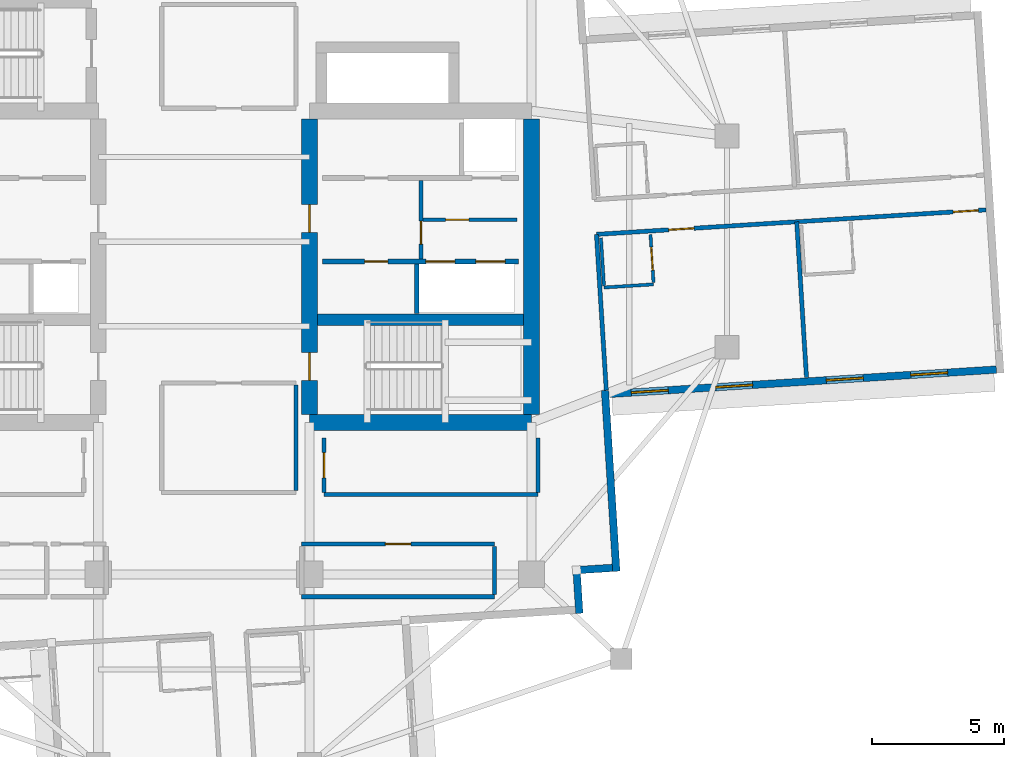
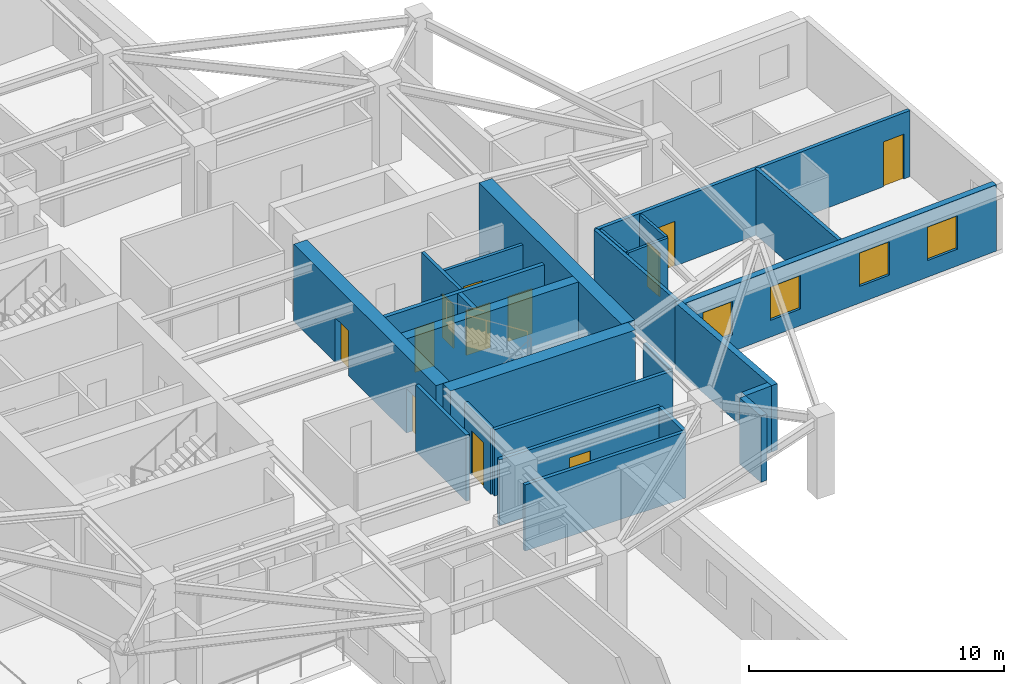
# One storey, part 5 of 12: 25 walls, 12 doors, 4 windows, 16 openings.
"""IFC4 building model written with IfcOpenShell, lengths in metres."""

from ifc_helpers import new_model, si_unit, direction, frame, frame_2d, origin, place, context, subcontext, project, spatial, rectangle, extrude, material, layer, layer_set, type_object, element, fill, save


model = new_model("IFC4")

# Units and contexts
model_context = context("Model", 3, precision=1e-05, world=origin(), true_north=direction((0.0, 1.0)))
body_context = subcontext(model_context, "Body", "Model", "MODEL_VIEW")
ifc_project = project(units=[si_unit("LENGTHUNIT", "METRE"), si_unit("AREAUNIT", "SQUARE_METRE"), si_unit("VOLUMEUNIT", "CUBIC_METRE"), si_unit("PLANEANGLEUNIT", "RADIAN"), si_unit("MASSUNIT", "GRAM", prefix="KILO")], contexts=[model_context])

# Site, building, storey
site_placement = place(None, origin())
site = spatial("IfcSite", under=ifc_project, at=site_placement, CompositionType="ELEMENT")
building_placement = place(site_placement, origin())
building = spatial("IfcBuilding", under=site, at=building_placement, Name="Qingluan Cross Belvedere", CompositionType="ELEMENT")
storey_placement = place(building_placement, frame((0.0, 0.0, 209.10009765625)))
storey = spatial("IfcBuildingStorey", under=building, at=storey_placement, Name="L52", CompositionType="ELEMENT", Elevation=209.10009765625)

# Walls
ifc_material_1 = material(Name="Concrete C50", Category="concrete")
ifc_layer_1 = layer(ifc_material_1, 0.449951171875, Name="CoreShearWall_450")
ifc_layer_set_1 = layer_set([ifc_layer_1], Name="Concrete C50")
wall_type_1 = type_object("IfcWallType", Name="CoreShearWall_450", PredefinedType="SHEAR", material=ifc_layer_set_1)
wall_1_placement = place(storey_placement, frame((4.304931640625, -2.9599609375, 0.0), z_axis=(0.0, 0.0, 1.0), x_axis=(1.0, 0.0, 0.0)))
element("IfcWall", 1, at=wall_1_placement, inside=storey, type_object=wall_type_1, Name="Split core E shear wall L52-M", PredefinedType="SHEAR", context=body_context, shape_type="SweptSolid", body=[
    extrude(rectangle(XDim=7.7900390625, YDim=0.449951171875, at=frame_2d((3.89501953125, 0.0))), origin(), (0.0, 0.0, 1.0), 3.699951171875),
])
ifc_material_2 = material(Name="Concrete C60", Category="concrete")
ifc_layer_2 = layer(ifc_material_2, 0.60009765625, Name="CoreShearWall_600")
ifc_layer_set_2 = layer_set([ifc_layer_2], Name="Concrete C60")
wall_type_2 = type_object("IfcWallType", Name="CoreShearWall_600", PredefinedType="SHEAR", material=ifc_layer_set_2)
wall_2_placement = place(storey_placement, frame((4.0, -6.85009765625, 0.0), z_axis=(0.0, 0.0, 1.0), x_axis=(1.0, 0.0, 0.0)))
element("IfcWall", 2, at=wall_2_placement, inside=storey, type_object=wall_type_2, Name="Split core E shear wall L52-S", PredefinedType="SHEAR", context=body_context, shape_type="SweptSolid", body=[
    extrude(rectangle(XDim=8.39990234375, YDim=0.60009765625, at=frame_2d((4.199951171875, 0.0))), origin(), (0.0, 0.0, 1.0), 3.699951171875),
])

# Wall, openings, doors
wall_3_placement = place(storey_placement, frame((4.0, -6.544921875, 0.0), z_axis=(0.0, 0.0, 1.0), x_axis=(0.0, 1.0, 0.0)))
wall_3 = element("IfcWall", 3, at=wall_3_placement, inside=storey, type_object=wall_type_2, Name="Split core E shear wall L52-W", PredefinedType="SHEAR", context=body_context, shape_type="SweptSolid", body=[
    extrude(rectangle(XDim=11.18994140625, YDim=0.60009765625, at=frame_2d((5.594970703125, 0.0))), origin(), (0.0, 0.0, 1.0), 3.699951171875),
])
opening_1_placement = place(wall_3_placement, frame((1.294921875, 0.0, 0.0)))
opening_1 = element("IfcOpeningElement", 4, at=opening_1_placement, cuts=wall_3, Name="Opening FD-B11", PredefinedType="OPENING", context=body_context, shape_type="SweptSolid", body=[
    extrude(rectangle(XDim=1.050048828125, YDim=2.14990234375, at=frame_2d((0.52490234375, 1.074951171875))), frame((0.0, 0.31005859375, 0.0), z_axis=(0.0, -1.0, 0.0), x_axis=(1.0, 0.0, 0.0)), (0.0, 0.0, 1.0), 0.6201171875),
])
opening_2_placement = place(wall_3_placement, frame((6.89501953125, 0.0, 0.0)))
opening_2 = element("IfcOpeningElement", 5, at=opening_2_placement, cuts=wall_3, Name="Opening FD-B11", PredefinedType="OPENING", context=body_context, shape_type="SweptSolid", body=[
    extrude(rectangle(XDim=1.050048828125, YDim=2.14990234375, at=frame_2d((0.52490234375, 1.074951171875))), frame((0.0, 0.31005859375, 0.0), z_axis=(0.0, -1.0, 0.0), x_axis=(1.0, 0.0, 0.0)), (0.0, 0.0, 1.0), 0.6201171875),
])
ifc_material_3 = material(Name="Steel Class B smoke-seal fire door", Category="steel")
door_type_1 = type_object("IfcDoorType", Name="StairLobbyFireDoor_FDB", OperationType="NOTDEFINED", PredefinedType="DOOR", material=ifc_material_3)
door_1_placement = place(opening_1_placement, origin())
door_1 = element("IfcDoor", 6, at=door_1_placement, inside=storey, type_object=door_type_1, Name="Smoke-proof stair ST2 fire door L52", OperationType="SINGLE_SWING_LEFT", OverallHeight=2.14990234375, OverallWidth=1.050048828125, PredefinedType="DOOR", context=body_context, shape_type="SweptSolid", body=[
    extrude(rectangle(XDim=1.050048828125, YDim=2.14990234375, at=frame_2d((0.52490234375, 1.074951171875))), frame((0.0, 0.02490234375, 0.0), z_axis=(0.0, -1.0, 0.0), x_axis=(1.0, 0.0, 0.0)), (0.0, 0.0, 1.0), 0.050048828125),
])
fill(opening_1, door_1)
door_2_placement = place(opening_2_placement, origin())
door_2 = element("IfcDoor", 7, at=door_2_placement, inside=storey, type_object=door_type_1, Name="Firefighting lobby East fire door L52", OperationType="SINGLE_SWING_LEFT", OverallHeight=2.14990234375, OverallWidth=1.050048828125, PredefinedType="DOOR", context=body_context, shape_type="SweptSolid", body=[
    extrude(rectangle(XDim=1.050048828125, YDim=2.14990234375, at=frame_2d((0.52490234375, 1.074951171875))), frame((0.0, 0.02490234375, 0.0), z_axis=(0.0, -1.0, 0.0), x_axis=(1.0, 0.0, 0.0)), (0.0, 0.0, 1.0), 0.050048828125),
])
fill(opening_2, door_2)

# Wall
wall_4_placement = place(storey_placement, frame((12.39990234375, -6.544921875, 0.0), z_axis=(0.0, 0.0, 1.0), x_axis=(0.0, 1.0, 0.0)))
element("IfcWall", 8, at=wall_4_placement, inside=storey, type_object=wall_type_2, Name="Split core E shear wall L52-E", PredefinedType="SHEAR", context=body_context, shape_type="SweptSolid", body=[
    extrude(rectangle(XDim=11.18994140625, YDim=0.60009765625, at=frame_2d((5.594970703125, 0.0))), origin(), (0.0, 0.0, 1.0), 3.699951171875),
])

# Wall, opening, door
ifc_material_4 = material(Name="Gypsum plasterboard on steel stud acoustic partition", Category="steel")
ifc_layer_3 = layer(ifc_material_4, 0.159912109375, Name="CorridorPartition_160")
ifc_layer_set_3 = layer_set([ifc_layer_3], Name="Gypsum plasterboard on steel stud acoustic partition")
wall_type_3 = type_object("IfcWallType", Name="CorridorPartition_160", PredefinedType="PARTITIONING", material=ifc_layer_set_3)
wall_5_placement = place(storey_placement, frame((8.298095703125, 0.830078125, 0.0), z_axis=(0.0, 0.0, 1.0), x_axis=(1.0, 0.0, 0.0)))
wall_5 = element("IfcWall", 9, at=wall_5_placement, inside=storey, type_object=wall_type_3, Name="Partition L52:e", PredefinedType="PARTITIONING", context=body_context, shape_type="SweptSolid", body=[
    extrude(rectangle(XDim=3.552001953125, YDim=0.139892578125, at=frame_2d((1.77587890625, 0.0))), origin(), (0.0, 0.0, 1.0), 3.169921875),
])
opening_3_placement = place(wall_5_placement, frame((0.85009765625, 0.0, 0.0)))
opening_3 = element("IfcOpeningElement", 10, at=opening_3_placement, cuts=wall_5, Name="Opening FD-B10", PredefinedType="OPENING", context=body_context, shape_type="SweptSolid", body=[
    extrude(rectangle(XDim=0.8798828125, YDim=2.10009765625, at=frame_2d((0.43994140625, 1.050048828125))), frame((0.0, 0.079833984375, 0.0), z_axis=(0.0, -1.0, 0.0), x_axis=(1.0, 0.0, 0.0)), (0.0, 0.0, 1.0), 0.159912109375),
])
ifc_material_5 = material(Name="Steel Class B service fire door", Category="steel")
door_type_2 = type_object("IfcDoorType", Name="RiserServiceFireDoor_FDB", OperationType="NOTDEFINED", PredefinedType="DOOR", material=ifc_material_5)
door_3_placement = place(opening_3_placement, origin())
door_3 = element("IfcDoor", 11, at=door_3_placement, inside=storey, type_object=door_type_2, Name="Service closet inner door L52", OperationType="SINGLE_SWING_RIGHT", OverallHeight=2.10009765625, OverallWidth=0.8798828125, PredefinedType="DOOR", context=body_context, shape_type="SweptSolid", body=[
    extrude(rectangle(XDim=0.8798828125, YDim=2.10009765625, at=frame_2d((0.43994140625, 1.050048828125))), frame((0.0, 0.02490234375, 0.0), z_axis=(0.0, -1.0, 0.0), x_axis=(1.0, 0.0, 0.0)), (0.0, 0.0, 1.0), 0.050048828125),
])
fill(opening_3, door_3)

# Wall
wall_6_placement = place(storey_placement, frame((3.699951171875, -13.449951171875, 0.0), z_axis=(0.0, 0.0, 1.0), x_axis=(1.0, 0.0, 0.0)))
element("IfcWall", 12, at=wall_6_placement, inside=storey, type_object=wall_type_3, Name="Partition L52:q_se:S", PredefinedType="PARTITIONING", context=body_context, shape_type="SweptSolid", body=[
    extrude(rectangle(XDim=7.300048828125, YDim=0.159912109375, at=frame_2d((3.64990234375, 0.0))), origin(), (0.0, 0.0, 1.0), 3.169921875),
])

# Wall, opening, door
wall_7_placement = place(storey_placement, frame((3.699951171875, -11.449951171875, 0.0), z_axis=(0.0, 0.0, 1.0), x_axis=(1.0, 0.0, 0.0)))
wall_7 = element("IfcWall", 13, at=wall_7_placement, inside=storey, type_object=wall_type_3, Name="Partition L52:q_se:N", PredefinedType="PARTITIONING", context=body_context, shape_type="SweptSolid", body=[
    extrude(rectangle(XDim=7.300048828125, YDim=0.159912109375, at=frame_2d((3.64990234375, 0.0))), origin(), (0.0, 0.0, 1.0), 3.169921875),
])
opening_4_placement = place(wall_7_placement, frame((3.169921875, 0.0, 0.0)))
opening_4 = element("IfcOpeningElement", 14, at=opening_4_placement, cuts=wall_7, Name="Opening GD-10", PredefinedType="OPENING", context=body_context, shape_type="SweptSolid", body=[
    extrude(rectangle(XDim=0.9599609375, YDim=2.14990234375, at=frame_2d((0.47998046875, 1.074951171875))), frame((0.0, 0.08984375, 0.0), z_axis=(0.0, -1.0, 0.0), x_axis=(1.0, 0.0, 0.0)), (0.0, 0.0, 1.0), 0.179931640625),
])
ifc_material_6 = material(Name="Timber oak fire-rated acoustic guestroom door", Category="wood")
door_type_3 = type_object("IfcDoorType", Name="GuestEntryDoor_FD60", OperationType="NOTDEFINED", PredefinedType="DOOR", material=ifc_material_6)
door_4_placement = place(opening_4_placement, origin())
door_4 = element("IfcDoor", 15, at=door_4_placement, inside=storey, type_object=door_type_3, Name="Private butler office L52 door", OperationType="SINGLE_SWING_RIGHT", OverallHeight=2.14990234375, OverallWidth=0.9599609375, PredefinedType="DOOR", context=body_context, shape_type="SweptSolid", body=[
    extrude(rectangle(XDim=0.9599609375, YDim=2.14990234375, at=frame_2d((0.47998046875, 1.074951171875))), frame((0.0, 0.02490234375, 0.0), z_axis=(0.0, -1.0, 0.0), x_axis=(1.0, 0.0, 0.0)), (0.0, 0.0, 1.0), 0.050048828125),
])
fill(opening_4, door_4)

# Walls
wall_8_placement = place(storey_placement, frame((11.0, -13.364990234375, 0.0), z_axis=(0.0, 0.0, 1.0), x_axis=(0.0, 1.0, 0.0)))
element("IfcWall", 16, at=wall_8_placement, inside=storey, type_object=wall_type_3, Name="Partition L52:q_se:E", PredefinedType="PARTITIONING", context=body_context, shape_type="SweptSolid", body=[
    extrude(rectangle(XDim=1.830078125, YDim=0.159912109375, at=frame_2d((0.9150390625, 0.0))), origin(), (0.0, 0.0, 1.0), 3.169921875),
])
wall_9_placement = place(storey_placement, frame((3.47998046875, -9.4150390625, 0.0), z_axis=(0.0, 0.0, 1.0), x_axis=(0.0, 1.0, 0.0)))
element("IfcWall", 17, at=wall_9_placement, inside=storey, type_object=wall_type_3, Name="Partition L52:sky_south_alcove:E", PredefinedType="PARTITIONING", context=body_context, shape_type="SweptSolid", body=[
    extrude(rectangle(XDim=3.97998046875, YDim=0.159912109375, at=frame_2d((1.989990234375, 0.0))), origin(), (0.0, 0.0, 1.0), 3.169921875),
])
wall_10_placement = place(storey_placement, frame((4.550048828125, -9.580078125, 0.0), z_axis=(0.0, 0.0, 1.0), x_axis=(1.0, 0.0, 0.0)))
element("IfcWall", 18, at=wall_10_placement, inside=storey, type_object=wall_type_3, Name="Partition L52:rec_st4:S", PredefinedType="PARTITIONING", context=body_context, shape_type="SweptSolid", body=[
    extrude(rectangle(XDim=8.099853515625, YDim=0.159912109375, at=frame_2d((4.0498046875, 0.0))), origin(), (0.0, 0.0, 1.0), 3.169921875),
])

# Wall, opening, door
wall_11_placement = place(storey_placement, frame((4.550048828125, -9.4951171875, 0.0), z_axis=(0.0, 0.0, 1.0), x_axis=(0.0, 1.0, 0.0)))
wall_11 = element("IfcWall", 19, at=wall_11_placement, inside=storey, type_object=wall_type_3, Name="Partition L52:rec_st4:W", PredefinedType="PARTITIONING", context=body_context, shape_type="SweptSolid", body=[
    extrude(rectangle(XDim=2.06005859375, YDim=0.159912109375, at=frame_2d((1.030029296875, 0.0))), origin(), (0.0, 0.0, 1.0), 3.169921875),
])
opening_5_placement = place(wall_11_placement, frame((0.550048828125, 0.0, 0.0)))
opening_5 = element("IfcOpeningElement", 20, at=opening_5_placement, cuts=wall_11, Name="Opening GD-10", PredefinedType="OPENING", context=body_context, shape_type="SweptSolid", body=[
    extrude(rectangle(XDim=0.9599609375, YDim=2.14990234375, at=frame_2d((0.47998046875, 1.074951171875))), frame((0.0, 0.08984375, 0.0), z_axis=(0.0, -1.0, 0.0), x_axis=(1.0, 0.0, 0.0)), (0.0, 0.0, 1.0), 0.179931640625),
])
door_5_placement = place(opening_5_placement, origin())
door_5 = element("IfcDoor", 21, at=door_5_placement, inside=storey, type_object=door_type_3, Name="Southeast club library room L52 door", OperationType="SINGLE_SWING_RIGHT", OverallHeight=2.14990234375, OverallWidth=0.9599609375, PredefinedType="DOOR", context=body_context, shape_type="SweptSolid", body=[
    extrude(rectangle(XDim=0.9599609375, YDim=2.14990234375, at=frame_2d((0.47998046875, 1.074951171875))), frame((0.0, 0.02490234375, 0.0), z_axis=(0.0, -1.0, 0.0), x_axis=(1.0, 0.0, 0.0)), (0.0, 0.0, 1.0), 0.050048828125),
])
fill(opening_5, door_5)

# Wall
wall_12_placement = place(storey_placement, frame((12.64990234375, -9.4951171875, 0.0), z_axis=(0.0, 0.0, 1.0), x_axis=(0.0, 1.0, 0.0)))
element("IfcWall", 22, at=wall_12_placement, inside=storey, type_object=wall_type_3, Name="Partition L52:rec_st4:E", PredefinedType="PARTITIONING", context=body_context, shape_type="SweptSolid", body=[
    extrude(rectangle(XDim=2.06005859375, YDim=0.159912109375, at=frame_2d((1.030029296875, 0.0))), origin(), (0.0, 0.0, 1.0), 3.169921875),
])

# Wall, openings, doors
wall_13_placement = place(storey_placement, frame((14.862060546875, 0.273681640625, 0.0), z_axis=(0.0, 0.0, 1.0), x_axis=(0.998026529199, 0.062793686106, 0.0)))
wall_13 = element("IfcWall", 23, at=wall_13_placement, inside=storey, type_object=wall_type_3, Name="Partition L52:E:c1", PredefinedType="PARTITIONING", context=body_context, shape_type="SweptSolid", body=[
    extrude(rectangle(XDim=14.781982421875, YDim=0.159912109375, at=frame_2d((7.39111328125, 0.0))), origin(), (0.0, 0.0, 1.0), 3.169921875),
])
opening_6_placement = place(wall_13_placement, frame((2.739990234375, 0.0, 0.0)))
opening_6 = element("IfcOpeningElement", 24, at=opening_6_placement, cuts=wall_13, Name="Opening GD-10", PredefinedType="OPENING", context=body_context, shape_type="SweptSolid", body=[
    extrude(rectangle(XDim=0.9599609375, YDim=2.14990234375, at=frame_2d((0.47998046875, 1.074951171875))), frame((0.0, 0.08984375, 0.0), z_axis=(0.0, -1.0, 0.0), x_axis=(1.0, 0.0, 0.0)), (0.0, 0.0, 1.0), 0.179931640625),
])
opening_7_placement = place(wall_13_placement, frame((13.530029296875, 0.0, 0.0)))
opening_7 = element("IfcOpeningElement", 25, at=opening_7_placement, cuts=wall_13, Name="Opening GD-10", PredefinedType="OPENING", context=body_context, shape_type="SweptSolid", body=[
    extrude(rectangle(XDim=0.9599609375, YDim=2.14990234375, at=frame_2d((0.47998046875, 1.074951171875))), frame((0.0, 0.08984375, 0.0), z_axis=(0.0, -1.0, 0.0), x_axis=(1.0, 0.0, 0.0)), (0.0, 0.0, 1.0), 0.179931640625),
])
door_6_placement = place(opening_6_placement, origin())
door_6 = element("IfcDoor", 26, at=door_6_placement, inside=storey, type_object=door_type_3, Name="Guest entry fire door 5203", OperationType="SINGLE_SWING_RIGHT", OverallHeight=2.14990234375, OverallWidth=0.9599609375, PredefinedType="DOOR", context=body_context, shape_type="SweptSolid", body=[
    extrude(rectangle(XDim=0.9599609375, YDim=2.14990234375, at=frame_2d((0.47998046875, 1.074951171875))), frame((0.0, 0.02490234375, 0.0), z_axis=(0.0, -1.0, 0.0), x_axis=(1.0, 0.0, 0.0)), (0.0, 0.0, 1.0), 0.050048828125),
])
fill(opening_6, door_6)
door_7_placement = place(opening_7_placement, origin())
door_7 = element("IfcDoor", 27, at=door_7_placement, inside=storey, type_object=door_type_3, Name="Guest entry fire door 5204", OperationType="SINGLE_SWING_RIGHT", OverallHeight=2.14990234375, OverallWidth=0.9599609375, PredefinedType="DOOR", context=body_context, shape_type="SweptSolid", body=[
    extrude(rectangle(XDim=0.9599609375, YDim=2.14990234375, at=frame_2d((0.47998046875, 1.074951171875))), frame((0.0, 0.02490234375, 0.0), z_axis=(0.0, -1.0, 0.0), x_axis=(1.0, 0.0, 0.0)), (0.0, 0.0, 1.0), 0.050048828125),
])
fill(opening_7, door_7)

# Walls
for number, where, z_axis, x_axis, name in (
    (28, (14.862060546875, 0.273681640625, 0.0), (0.0, 0.0, 1.0), (0.062810194096, -0.998025490415, 0.0), "Partition L52:E:s1"),
    (29, (22.443115234375, 0.750732421875, 0.0), (0.0, 0.0, 1.0), (0.062810194096, -0.998025490415, 0.0), "Partition L52:E:d1_0"),
):
    element("IfcWall", number, at=place(storey_placement, frame(where, z_axis=z_axis, x_axis=x_axis)), inside=storey, type_object=wall_type_3, Name=name, PredefinedType="PARTITIONING", context=body_context, shape_type="SweptSolid", body=[
        extrude(rectangle(XDim=5.912109375, YDim=0.159912109375, at=frame_2d((2.9560546875, 0.0))), origin(), (0.0, 0.0, 1.0), 3.169921875),
    ])

# Wall, opening, door
ifc_material_7 = material(Name="Moisture-resistant gypsum board lining")
ifc_layer_4 = layer(ifc_material_7, 0.1201171875, Name="EnsuiteWetPartition_120")
ifc_layer_set_4 = layer_set([ifc_layer_4], Name="Moisture-resistant gypsum board lining")
wall_type_4 = type_object("IfcWallType", Name="EnsuiteWetPartition_120", PredefinedType="PARTITIONING", material=ifc_layer_set_4)
wall_14_placement = place(storey_placement, frame((17.021240234375, -1.55419921875, 0.0), z_axis=(0.0, 0.0, 1.0), x_axis=(-0.062779145668, 0.998027443946, 0.0)))
wall_14 = element("IfcWall", 30, at=wall_14_placement, inside=storey, type_object=wall_type_4, Name="Partition L52:E:bs1_0", PredefinedType="PARTITIONING", context=body_context, shape_type="SweptSolid", body=[
    extrude(rectangle(XDim=1.820068359375, YDim=0.1201171875, at=frame_2d((0.91015625, 0.0))), origin(), (0.0, 0.0, 1.0), 3.169921875),
])
opening_8_placement = place(wall_14_placement, frame((0.469970703125, 0.0, 0.0)))
opening_8 = element("IfcOpeningElement", 31, at=opening_8_placement, cuts=wall_14, Name="Opening BD-09", PredefinedType="OPENING", context=body_context, shape_type="SweptSolid", body=[
    extrude(rectangle(XDim=0.8798828125, YDim=2.10009765625, at=frame_2d((0.43994140625, 1.050048828125))), frame((0.0, 0.070068359375, 0.0), z_axis=(0.0, -1.0, 0.0), x_axis=(1.0, 0.0, 0.0)), (0.0, 0.0, 1.0), 0.14013671875),
])
ifc_material_8 = material(Name="Moisture-sealed timber en-suite door", Category="wood")
door_type_4 = type_object("IfcDoorType", Name="BathroomDoor_880", OperationType="NOTDEFINED", PredefinedType="DOOR", material=ifc_material_8)
door_8_placement = place(opening_8_placement, origin())
door_8 = element("IfcDoor", 32, at=door_8_placement, inside=storey, type_object=door_type_4, Name="Bathroom door 5203", OperationType="SINGLE_SWING_LEFT", OverallHeight=2.10009765625, OverallWidth=0.8798828125, PredefinedType="DOOR", context=body_context, shape_type="SweptSolid", body=[
    extrude(rectangle(XDim=0.8798828125, YDim=2.10009765625, at=frame_2d((0.43994140625, 1.050048828125))), frame((0.0, 0.02490234375, 0.0), z_axis=(0.0, -1.0, 0.0), x_axis=(1.0, 0.0, 0.0)), (0.0, 0.0, 1.0), 0.050048828125),
])
fill(opening_8, door_8)

# Walls
wall_15_placement = place(storey_placement, frame((15.14501953125, -1.67236328125, 0.0), z_axis=(0.0, 0.0, 1.0), x_axis=(-0.062912758763, 0.998019030272, 0.0)))
element("IfcWall", 33, at=wall_15_placement, inside=storey, type_object=wall_type_4, Name="Partition L52:E:bw1_0", PredefinedType="PARTITIONING", context=body_context, shape_type="SweptSolid", body=[
    extrude(rectangle(XDim=1.820068359375, YDim=0.1201171875, at=frame_2d((0.91015625, 0.0))), origin(), (0.0, 0.0, 1.0), 3.169921875),
])
wall_16_placement = place(storey_placement, frame((15.14892578125, -1.7373046875, 0.0), z_axis=(0.0, 0.0, 1.0), x_axis=(0.998023163794, 0.062847152131, 0.0)))
element("IfcWall", 34, at=wall_16_placement, inside=storey, type_object=wall_type_4, Name="Partition L52:E:bc1_0", PredefinedType="PARTITIONING", context=body_context, shape_type="SweptSolid", body=[
    extrude(rectangle(XDim=1.880126953125, YDim=0.1201171875, at=frame_2d((0.93994140625, 0.0))), origin(), (0.0, 0.0, 1.0), 3.169921875),
])

# Wall, openings, windows
ifc_material_9 = material(Name="Precast concrete C45", Category="concrete")
ifc_layer_5 = layer(ifc_material_9, 0.280029296875, Name="PrecastFacadeWall_280")
ifc_layer_set_5 = layer_set([ifc_layer_5], Name="Precast concrete C45")
wall_type_5 = type_object("IfcWallType", Name="PrecastFacadeWall_280", PredefinedType="STANDARD", material=ifc_layer_set_5)
wall_17_placement = place(storey_placement, frame((15.33251953125, -5.7685546875, 0.0), z_axis=(0.0, 0.0, 1.0), x_axis=(0.998027423805, 0.062779465852, 0.0)))
wall_17 = element("IfcWall", 35, at=wall_17_placement, inside=storey, type_object=wall_type_5, Name="Facade wall L52-EA", PredefinedType="STANDARD", context=body_context, shape_type="SweptSolid", body=[
    extrude(rectangle(XDim=14.699951171875, YDim=0.280029296875, at=frame_2d((7.35009765625, 0.0))), origin(), (0.0, 0.0, 1.0), 3.179931640625),
])
opening_9_placement = place(wall_17_placement, frame((0.85009765625, 0.0, 0.800048828125)))
opening_9 = element("IfcOpeningElement", 36, at=opening_9_placement, cuts=wall_17, Name="Opening W-01", PredefinedType="OPENING", context=body_context, shape_type="SweptSolid", body=[
    extrude(rectangle(XDim=1.39990234375, YDim=1.60009765625, at=frame_2d((0.699951171875, 0.800048828125))), frame((0.0, 0.14990234375, 0.0), z_axis=(0.0, -1.0, 0.0), x_axis=(1.0, 0.0, 0.0)), (0.0, 0.0, 1.0), 0.300048828125),
])
opening_10_placement = place(wall_17_placement, frame((4.050048828125, 0.0, 0.800048828125)))
opening_10 = element("IfcOpeningElement", 37, at=opening_10_placement, cuts=wall_17, Name="Opening W-01", PredefinedType="OPENING", context=body_context, shape_type="SweptSolid", body=[
    extrude(rectangle(XDim=1.39990234375, YDim=1.60009765625, at=frame_2d((0.699951171875, 0.800048828125))), frame((0.0, 0.14990234375, 0.0), z_axis=(0.0, -1.0, 0.0), x_axis=(1.0, 0.0, 0.0)), (0.0, 0.0, 1.0), 0.300048828125),
])
opening_11_placement = place(wall_17_placement, frame((8.25, 0.0, 0.800048828125)))
opening_11 = element("IfcOpeningElement", 38, at=opening_11_placement, cuts=wall_17, Name="Opening W-01", PredefinedType="OPENING", context=body_context, shape_type="SweptSolid", body=[
    extrude(rectangle(XDim=1.39990234375, YDim=1.60009765625, at=frame_2d((0.699951171875, 0.800048828125))), frame((0.0, 0.14990234375, 0.0), z_axis=(0.0, -1.0, 0.0), x_axis=(1.0, 0.0, 0.0)), (0.0, 0.0, 1.0), 0.300048828125),
])
opening_12_placement = place(wall_17_placement, frame((11.449951171875, 0.0, 0.800048828125)))
opening_12 = element("IfcOpeningElement", 39, at=opening_12_placement, cuts=wall_17, Name="Opening W-01", PredefinedType="OPENING", context=body_context, shape_type="SweptSolid", body=[
    extrude(rectangle(XDim=1.39990234375, YDim=1.60009765625, at=frame_2d((0.699951171875, 0.800048828125))), frame((0.0, 0.14990234375, 0.0), z_axis=(0.0, -1.0, 0.0), x_axis=(1.0, 0.0, 0.0)), (0.0, 0.0, 1.0), 0.300048828125),
])
ifc_material_10 = material(Name="Thermally broken triple Low-E glass in aluminium frame", Category="aluminium")
window_type = type_object("IfcWindowType", Name="TriRibbonWin_1400x1600", PartitioningType="SINGLE_PANEL", PredefinedType="WINDOW", material=ifc_material_10)
window_1_placement = place(opening_9_placement, origin())
window_1 = element("IfcWindow", 40, at=window_1_placement, inside=storey, type_object=window_type, Name="Ribbon window L52-EA-1", OverallHeight=1.60009765625, OverallWidth=1.39990234375, PartitioningType="SINGLE_PANEL", PredefinedType="WINDOW", context=body_context, shape_type="SweptSolid", body=[
    extrude(rectangle(XDim=1.39990234375, YDim=1.60009765625, at=frame_2d((0.699951171875, 0.800048828125))), frame((0.0, 0.030029296875, 0.0), z_axis=(0.0, -1.0, 0.0), x_axis=(1.0, 0.0, 0.0)), (0.0, 0.0, 1.0), 0.06005859375),
])
fill(opening_9, window_1)
window_2_placement = place(opening_10_placement, origin())
window_2 = element("IfcWindow", 41, at=window_2_placement, inside=storey, type_object=window_type, Name="Ribbon window L52-EA-2", OverallHeight=1.60009765625, OverallWidth=1.39990234375, PartitioningType="SINGLE_PANEL", PredefinedType="WINDOW", context=body_context, shape_type="SweptSolid", body=[
    extrude(rectangle(XDim=1.39990234375, YDim=1.60009765625, at=frame_2d((0.699951171875, 0.800048828125))), frame((0.0, 0.030029296875, 0.0), z_axis=(0.0, -1.0, 0.0), x_axis=(1.0, 0.0, 0.0)), (0.0, 0.0, 1.0), 0.06005859375),
])
fill(opening_10, window_2)
window_3_placement = place(opening_11_placement, origin())
window_3 = element("IfcWindow", 42, at=window_3_placement, inside=storey, type_object=window_type, Name="Ribbon window L52-EA-3", OverallHeight=1.60009765625, OverallWidth=1.39990234375, PartitioningType="SINGLE_PANEL", PredefinedType="WINDOW", context=body_context, shape_type="SweptSolid", body=[
    extrude(rectangle(XDim=1.39990234375, YDim=1.60009765625, at=frame_2d((0.699951171875, 0.800048828125))), frame((0.0, 0.030029296875, 0.0), z_axis=(0.0, -1.0, 0.0), x_axis=(1.0, 0.0, 0.0)), (0.0, 0.0, 1.0), 0.06005859375),
])
fill(opening_11, window_3)
window_4_placement = place(opening_12_placement, origin())
window_4 = element("IfcWindow", 43, at=window_4_placement, inside=storey, type_object=window_type, Name="Ribbon window L52-EA-4", OverallHeight=1.60009765625, OverallWidth=1.39990234375, PartitioningType="SINGLE_PANEL", PredefinedType="WINDOW", context=body_context, shape_type="SweptSolid", body=[
    extrude(rectangle(XDim=1.39990234375, YDim=1.60009765625, at=frame_2d((0.699951171875, 0.800048828125))), frame((0.0, 0.030029296875, 0.0), z_axis=(0.0, -1.0, 0.0), x_axis=(1.0, 0.0, 0.0)), (0.0, 0.0, 1.0), 0.06005859375),
])
fill(opening_12, window_4)

# Walls
wall_18_placement = place(storey_placement, frame((15.18408203125, -5.6376953125, 0.0), z_axis=(0.0, 0.0, 1.0), x_axis=(0.062779317195, -0.998027433156, 0.0)))
element("IfcWall", 44, at=wall_18_placement, inside=storey, type_object=wall_type_5, Name="Corner wall L52-SE1", PredefinedType="STANDARD", context=body_context, shape_type="SweptSolid", body=[
    extrude(rectangle(XDim=6.85986328125, YDim=0.280029296875, at=frame_2d((3.429931640625, 0.0))), origin(), (0.0, 0.0, 1.0), 3.179931640625),
])
wall_19_placement = place(storey_placement, frame((15.46630859375, -12.353271484375, 0.0), z_axis=(0.0, 0.0, 1.0), x_axis=(-0.998024450254, -0.062826719603, 0.0)))
element("IfcWall", 45, at=wall_19_placement, inside=storey, type_object=wall_type_5, Name="Corner wall L52-SE2", PredefinedType="STANDARD", context=body_context, shape_type="SweptSolid", body=[
    extrude(rectangle(XDim=1.22021484375, YDim=0.280029296875, at=frame_2d((0.610107421875, 0.0))), origin(), (0.0, 0.0, 1.0), 3.179931640625),
])
wall_20_placement = place(storey_placement, frame((14.11767578125, -12.578369140625, 0.0), z_axis=(0.0, 0.0, 1.0), x_axis=(0.062824119533, -0.998024613927, 0.0)))
element("IfcWall", 46, at=wall_20_placement, inside=storey, type_object=wall_type_5, Name="Corner wall L52-SE3", PredefinedType="STANDARD", context=body_context, shape_type="SweptSolid", body=[
    extrude(rectangle(XDim=1.5, YDim=0.280029296875, at=frame_2d((0.75, 0.0))), origin(), (0.0, 0.0, 1.0), 3.179931640625),
])

# Wall, openings, doors
ifc_material_11 = material(Name="Concrete C40", Category="concrete")
ifc_layer_6 = layer(ifc_material_11, 0.219970703125, Name="ShaftEnclosureWall_250")
ifc_layer_set_6 = layer_set([ifc_layer_6], Name="Concrete C40")
wall_type_6 = type_object("IfcWallType", Name="ShaftEnclosureWall_250", PredefinedType="SOLIDWALL", material=ifc_layer_set_6)
wall_21_placement = place(storey_placement, frame((4.47998046875, -0.75, 0.0), z_axis=(0.0, 0.0, 1.0), x_axis=(1.0, 0.0, 0.0)))
wall_21 = element("IfcWall", 47, at=wall_21_placement, inside=storey, type_object=wall_type_6, Name="Core-E mid hoistway wall L52", PredefinedType="SOLIDWALL", context=body_context, shape_type="SweptSolid", body=[
    extrude(rectangle(XDim=7.419921875, YDim=0.179931640625, at=frame_2d((3.7099609375, 0.0))), origin(), (0.0, 0.0, 1.0), 3.169921875),
])
opening_13_placement = place(wall_21_placement, frame((3.919921875, 0.0, 0.0)))
opening_13 = element("IfcOpeningElement", 48, at=opening_13_placement, cuts=wall_21, Name="Opening LD-11", PredefinedType="OPENING", context=body_context, shape_type="SweptSolid", body=[
    extrude(rectangle(XDim=1.10009765625, YDim=2.14990234375, at=frame_2d((0.550048828125, 1.074951171875))), frame((0.0, 0.099853515625, 0.0), z_axis=(0.0, -1.0, 0.0), x_axis=(1.0, 0.0, 0.0)), (0.0, 0.0, 1.0), 0.199951171875),
])
opening_14_placement = place(wall_21_placement, frame((5.820068359375, 0.0, 0.0)))
opening_14 = element("IfcOpeningElement", 49, at=opening_14_placement, cuts=wall_21, Name="Opening LD-11", PredefinedType="OPENING", context=body_context, shape_type="SweptSolid", body=[
    extrude(rectangle(XDim=1.10009765625, YDim=2.14990234375, at=frame_2d((0.550048828125, 1.074951171875))), frame((0.0, 0.099853515625, 0.0), z_axis=(0.0, -1.0, 0.0), x_axis=(1.0, 0.0, 0.0)), (0.0, 0.0, 1.0), 0.199951171875),
])
opening_15_placement = place(wall_21_placement, frame((1.60009765625, 0.0, 0.0)))
opening_15 = element("IfcOpeningElement", 50, at=opening_15_placement, cuts=wall_21, Name="Opening FD-B10", PredefinedType="OPENING", context=body_context, shape_type="SweptSolid", body=[
    extrude(rectangle(XDim=0.8798828125, YDim=2.10009765625, at=frame_2d((0.43994140625, 1.050048828125))), frame((0.0, 0.099853515625, 0.0), z_axis=(0.0, -1.0, 0.0), x_axis=(1.0, 0.0, 0.0)), (0.0, 0.0, 1.0), 0.199951171875),
])
ifc_material_12 = material(Name="Brushed stainless steel centre-opening lift landing door", Category="steel")
door_type_5 = type_object("IfcDoorType", Name="LiftLandingSlidingDoor_1100", OperationType="DOUBLE_DOOR_SLIDING", PredefinedType="DOOR", material=ifc_material_12)
door_9_placement = place(opening_13_placement, origin())
door_9 = element("IfcDoor", 51, at=door_9_placement, inside=storey, type_object=door_type_5, Name="Lift landing sliding door LP9 L52", OperationType="DOUBLE_DOOR_SLIDING", OverallHeight=2.14990234375, OverallWidth=1.10009765625, PredefinedType="DOOR", context=body_context, shape_type="SweptSolid", body=[
    extrude(rectangle(XDim=1.10009765625, YDim=2.14990234375, at=frame_2d((0.550048828125, 1.074951171875))), frame((0.0, 0.02490234375, 0.0), z_axis=(0.0, -1.0, 0.0), x_axis=(1.0, 0.0, 0.0)), (0.0, 0.0, 1.0), 0.050048828125),
])
fill(opening_13, door_9)
door_10_placement = place(opening_14_placement, origin())
door_10 = element("IfcDoor", 52, at=door_10_placement, inside=storey, type_object=door_type_5, Name="Lift landing sliding door LP10 L52", OperationType="DOUBLE_DOOR_SLIDING", OverallHeight=2.14990234375, OverallWidth=1.10009765625, PredefinedType="DOOR", context=body_context, shape_type="SweptSolid", body=[
    extrude(rectangle(XDim=1.10009765625, YDim=2.14990234375, at=frame_2d((0.550048828125, 1.074951171875))), frame((0.0, 0.02490234375, 0.0), z_axis=(0.0, -1.0, 0.0), x_axis=(1.0, 0.0, 0.0)), (0.0, 0.0, 1.0), 0.050048828125),
])
fill(opening_14, door_10)
door_11_placement = place(opening_15_placement, origin())
door_11 = element("IfcDoor", 53, at=door_11_placement, inside=storey, type_object=door_type_2, Name="Upper-zone linen store door L52", OperationType="SINGLE_SWING_RIGHT", OverallHeight=2.10009765625, OverallWidth=0.8798828125, PredefinedType="DOOR", context=body_context, shape_type="SweptSolid", body=[
    extrude(rectangle(XDim=0.8798828125, YDim=2.10009765625, at=frame_2d((0.43994140625, 1.050048828125))), frame((0.0, 0.02490234375, 0.0), z_axis=(0.0, -1.0, 0.0), x_axis=(1.0, 0.0, 0.0)), (0.0, 0.0, 1.0), 0.050048828125),
])
fill(opening_15, door_11)

# Wall
wall_22_placement = place(storey_placement, frame((8.06005859375, -2.72998046875, 0.0), z_axis=(0.0, 0.0, 1.0), x_axis=(0.0, 1.0, 0.0)))
element("IfcWall", 54, at=wall_22_placement, inside=storey, type_object=wall_type_6, Name="Hoistway enclosure divider LP9W L52", PredefinedType="SOLIDWALL", context=body_context, shape_type="SweptSolid", body=[
    extrude(rectangle(XDim=1.889892578125, YDim=0.179931640625, at=frame_2d((0.94482421875, 0.0))), origin(), (0.0, 0.0, 1.0), 3.169921875),
])

# Wall, opening, door
wall_23_placement = place(storey_placement, frame((8.219970703125, -0.64990234375, 0.0), z_axis=(0.0, 0.0, 1.0), x_axis=(0.0, 1.0, 0.0)))
wall_23 = element("IfcWall", 55, at=wall_23_placement, inside=storey, type_object=wall_type_6, Name="Core-E service corridor wall L52", PredefinedType="SOLIDWALL", context=body_context, shape_type="SweptSolid", body=[
    extrude(rectangle(XDim=2.9599609375, YDim=0.139892578125, at=frame_2d((1.47998046875, 0.0))), origin(), (0.0, 0.0, 1.0), 3.169921875),
])
opening_16_placement = place(wall_23_placement, frame((0.550048828125, 0.0, 0.0)))
opening_16 = element("IfcOpeningElement", 56, at=opening_16_placement, cuts=wall_23, Name="Opening FD-B10", PredefinedType="OPENING", context=body_context, shape_type="SweptSolid", body=[
    extrude(rectangle(XDim=0.8798828125, YDim=2.10009765625, at=frame_2d((0.43994140625, 1.050048828125))), frame((0.0, 0.079833984375, 0.0), z_axis=(0.0, -1.0, 0.0), x_axis=(1.0, 0.0, 0.0)), (0.0, 0.0, 1.0), 0.159912109375),
])
door_12_placement = place(opening_16_placement, origin())
door_12 = element("IfcDoor", 57, at=door_12_placement, inside=storey, type_object=door_type_2, Name="Core-E service room door L52", OperationType="SINGLE_SWING_RIGHT", OverallHeight=2.10009765625, OverallWidth=0.8798828125, PredefinedType="DOOR", context=body_context, shape_type="SweptSolid", body=[
    extrude(rectangle(XDim=0.8798828125, YDim=2.10009765625, at=frame_2d((0.43994140625, 1.050048828125))), frame((0.0, 0.02490234375, 0.0), z_axis=(0.0, -1.0, 0.0), x_axis=(1.0, 0.0, 0.0)), (0.0, 0.0, 1.0), 0.050048828125),
])
fill(opening_16, door_12)

save(model, "model.ifc")
